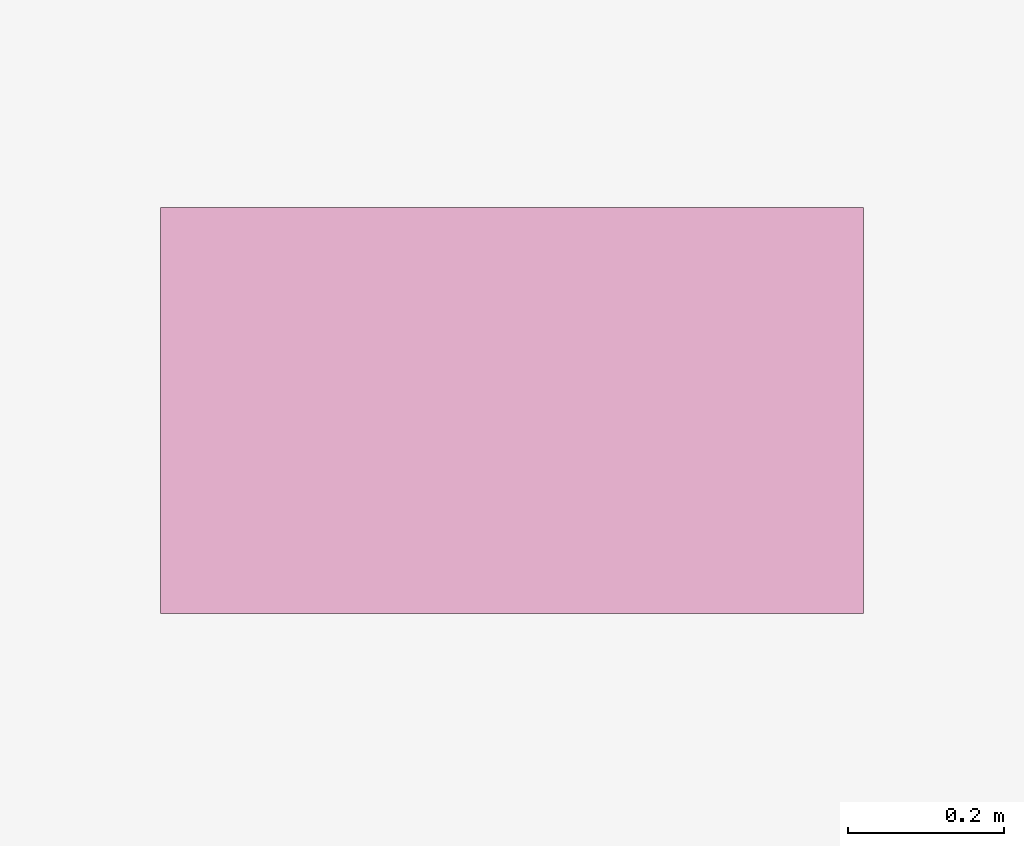
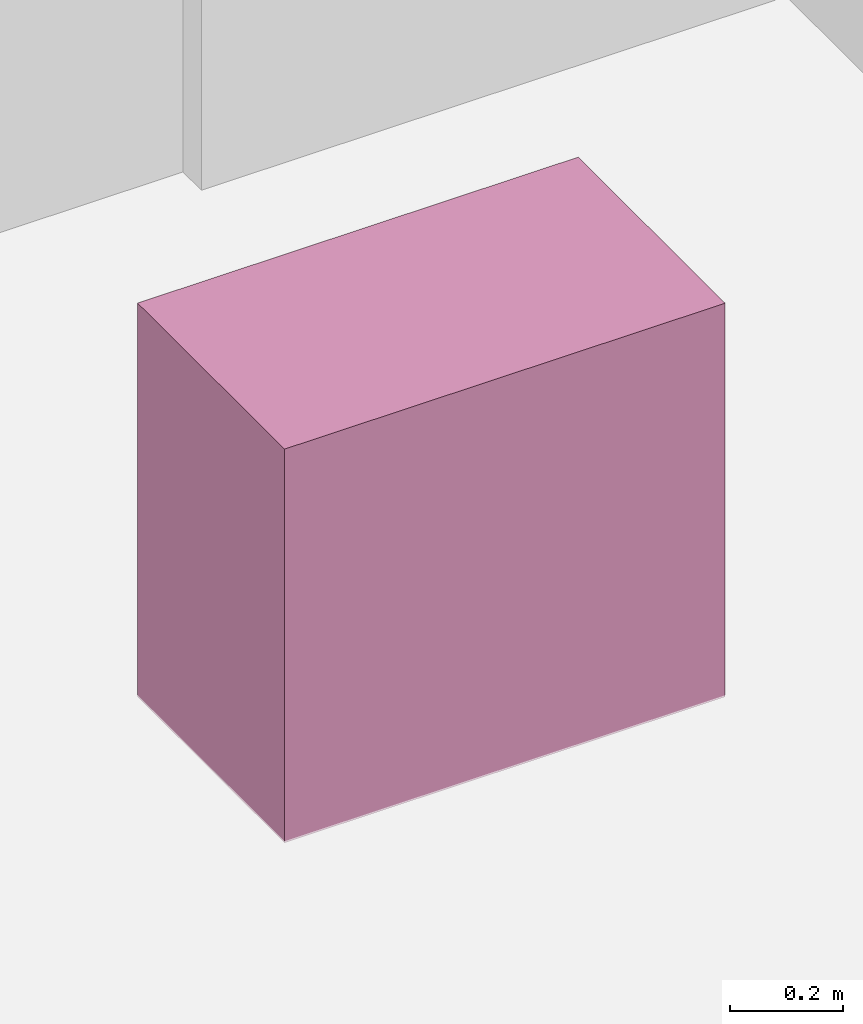
# One storey, part 33 of 33: 1 furnishing.
"""IFC4 building model written with IfcOpenShell, lengths in metres."""

from ifc_helpers import new_model, si_unit, direction, frame, origin, origin_2d, place, context, subcontext, project, spatial, rectangle, extrude, material, type_object, element, save


model = new_model("IFC4")

# Units and contexts
model_context = context("Model", 3, precision=1e-05, world=origin(), true_north=direction((0.0, 1.0)))
body_context = subcontext(model_context, "Body", "Model", "MODEL_VIEW")
ifc_project = project(units=[si_unit("LENGTHUNIT", "METRE"), si_unit("AREAUNIT", "SQUARE_METRE"), si_unit("VOLUMEUNIT", "CUBIC_METRE"), si_unit("PLANEANGLEUNIT", "RADIAN"), si_unit("MASSUNIT", "GRAM", prefix="KILO")], contexts=[model_context])

# Site, building, storey
site_placement = place(None, origin())
site = spatial("IfcSite", under=ifc_project, at=site_placement, CompositionType="ELEMENT")
building_placement = place(site_placement, origin())
building = spatial("IfcBuilding", under=site, at=building_placement, Name="Vorneva Point Tower", CompositionType="ELEMENT")
storey_placement = place(building_placement, frame((0.0, 0.0, 196.60009765625)))
storey = spatial("IfcBuildingStorey", under=building, at=storey_placement, Name="L53", CompositionType="ELEMENT", Elevation=196.60009765625)

# Furnishing
ifc_material = material(Name="Vitreous china and granite top", Category="masonry")
furniture_type = type_object("IfcFurnitureType", Name="FUR-VAN-900", AssemblyPlace="NOTDEFINED", PredefinedType="NOTDEFINED", material=ifc_material)
furnishing_placement = place(storey_placement, frame((37.97509765625, 32.1201171875, -0.005126953125), z_axis=(0.0, 0.0, 1.0), x_axis=(1.0, 0.0, 0.0)))
element("IfcFurnishingElement", 1, at=furnishing_placement, inside=storey, type_object=furniture_type, Name="L53 Accessible WC Vanity Unit", ObjectType="L53 Accessible WC Vanity Unit", context=body_context, shape_type="SweptSolid", body=[
    extrude(rectangle(XDim=0.89990234375, YDim=0.52001953125, at=origin_2d()), origin(), (0.0, 0.0, 1.0), 0.85009765625),
])

save(model, "model.ifc")
